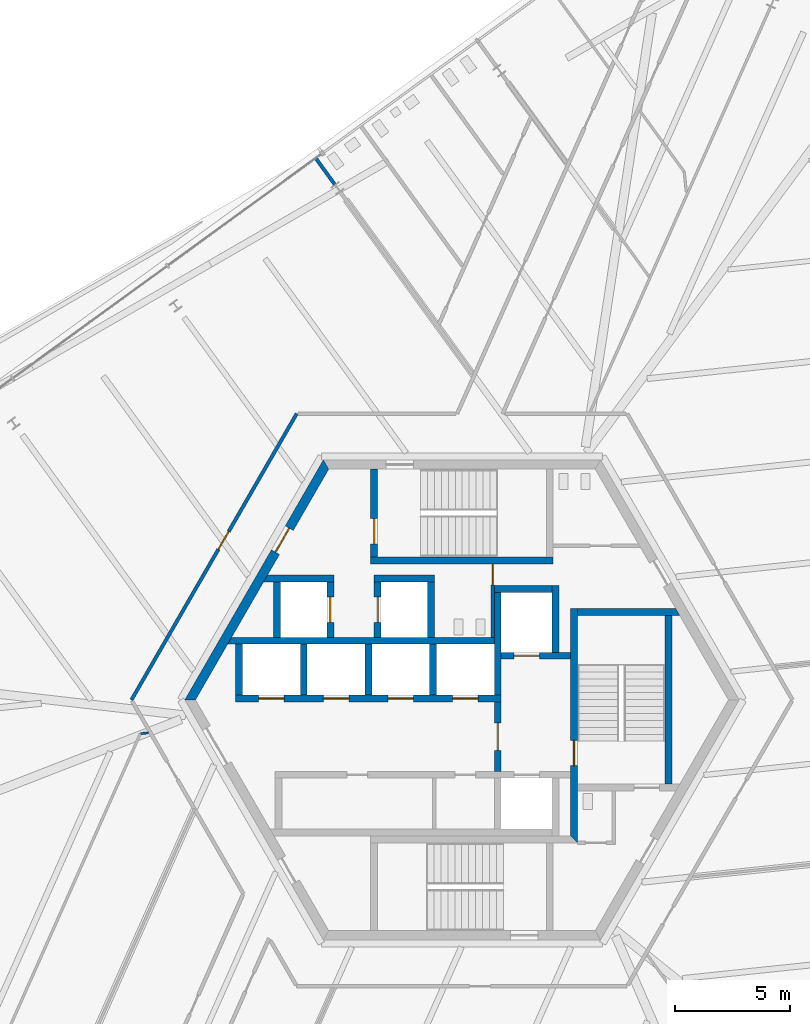
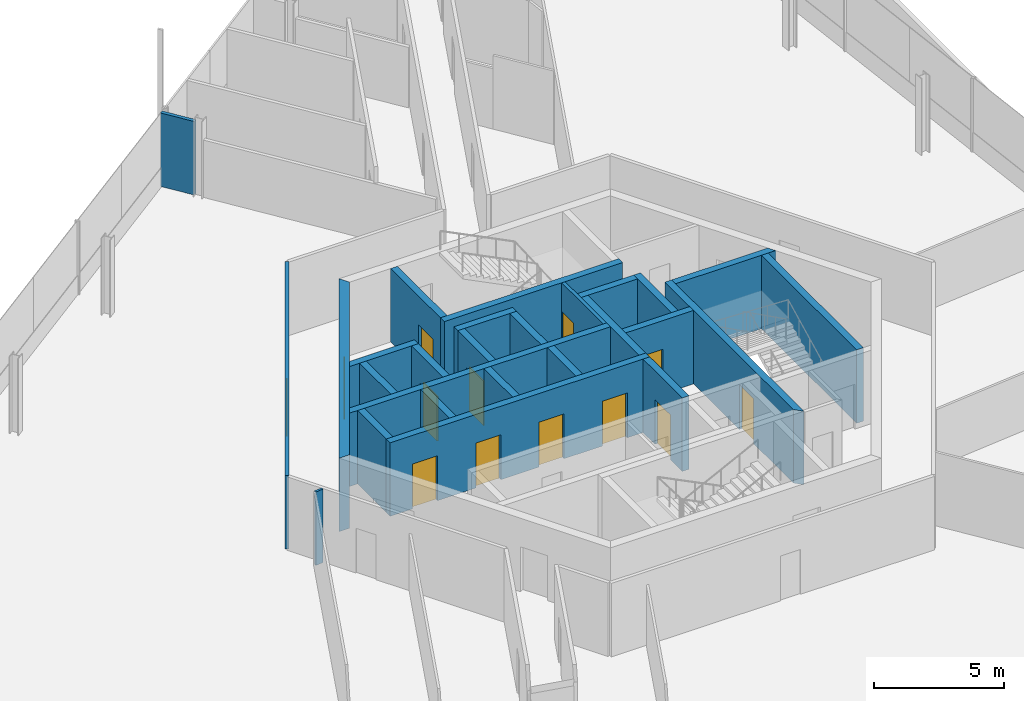
# One storey, part 17 of 24: 27 walls, 13 doors, 13 openings.
"""IFC4 building model written with IfcOpenShell, lengths in metres."""

from ifc_helpers import new_model, si_unit, direction, frame, frame_2d, origin, place, context, subcontext, project, spatial, polyline, rectangle, outline, extrude, source, transform, mapped, material, layer, layer_set, type_object, element, fill, save


model = new_model("IFC4")

# Units and contexts
model_context = context("Model", 3, precision=1e-05, world=origin(), true_north=direction((0.0, 1.0)))
body_context = subcontext(model_context, "Body", "Model", "MODEL_VIEW")
ifc_project = project(units=[si_unit("LENGTHUNIT", "METRE"), si_unit("AREAUNIT", "SQUARE_METRE"), si_unit("VOLUMEUNIT", "CUBIC_METRE"), si_unit("PLANEANGLEUNIT", "RADIAN"), si_unit("MASSUNIT", "GRAM", prefix="KILO")], contexts=[model_context])

# Site, building, storey
site_placement = place(None, origin())
site = spatial("IfcSite", under=ifc_project, at=site_placement, CompositionType="ELEMENT")
building_placement = place(site_placement, origin())
building = spatial("IfcBuilding", under=site, at=building_placement, Name="Triune Harvest Tower", CompositionType="ELEMENT")
storey_placement = place(building_placement, frame((0.0, 0.0, 58.5)))
storey = spatial("IfcBuildingStorey", under=building, at=storey_placement, Name="L13", CompositionType="ELEMENT", Elevation=58.5)

# Wall
ifc_material_1 = material(Name="Gypsum board on steel studs", Category="steel")
ifc_layer_1 = layer(ifc_material_1, 0.10009765625)
ifc_layer_set_1 = layer_set([ifc_layer_1], Name="Gypsum board on steel studs")
wall_type_1 = type_object("IfcWallType", Name="Partition 100 mm", PredefinedType="PARTITIONING", material=ifc_layer_set_1)
wall_1_placement = place(storey_placement, frame((-13.906494140625, -1.46142578125, 0.0), z_axis=(0.0, 0.0, 1.0), x_axis=(0.994576461005, 0.104007995922, 0.0)))
element("IfcWall", 1, at=wall_1_placement, inside=storey, type_object=wall_type_1, Name="Partition L13 027", PredefinedType="PARTITIONING", context=body_context, shape_type="SweptSolid", body=[
    extrude(rectangle(XDim=0.338134765625, YDim=0.10009765625, at=frame_2d((0.1689453125, 0.0))), origin(), (0.0, 0.0, 1.0), 3.43994140625),
])

# Wall, opening, door
ifc_material_2 = material(Name="Concrete 70 MPa", Category="concrete")
ifc_layer_2 = layer(ifc_material_2, 0.39990234375)
ifc_layer_set_2 = layer_set([ifc_layer_2], Name="Concrete 70 MPa")
wall_type_2 = type_object("IfcWallType", Name="Core wall 400", PredefinedType="SHEAR", material=ifc_layer_set_2)
shared_shape_1 = source(origin(), body_context, "Body", "SweptSolid", [
    extrude(outline(polyline([(-0.115478515625, -0.199951171875), (11.884521484375, -0.199951171875), (11.653564453125, 0.199951171875), (0.115478515625, 0.199951171875), (-0.115478515625, -0.199951171875)])), origin(), (0.0, 0.0, 1.0), 3.43994140625),
])
wall_2_placement = place(storey_placement, frame((-5.884521484375, 10.1923828125, 0.0), z_axis=(0.0, 0.0, 1.0), x_axis=(-0.499996592174, -0.866027371285, 0.0)))
wall_2 = element("IfcWall", 2, at=wall_2_placement, inside=storey, type_object=wall_type_2, Name="Hexagon 2 wall", PredefinedType="SHEAR", context=body_context, shape_type="MappedRepresentation", body=[
    mapped(shared_shape_1, transform((0.0, 0.0, 0.0), scale=1.0)),
])
opening_1_placement = place(wall_2_placement, frame((3.1845703125, 0.0, 0.0)))
opening_1 = element("IfcOpeningElement", 3, at=opening_1_placement, cuts=wall_2, Name="Opening CD-SVP", PredefinedType="OPENING", context=body_context, shape_type="SweptSolid", body=[
    extrude(rectangle(XDim=1.199951171875, YDim=2.10009765625, at=frame_2d((0.60009765625, 1.050048828125))), frame((0.0, 0.2099609375, 0.0), z_axis=(0.0, -1.0, 0.0), x_axis=(1.0, 0.0, 0.0)), (0.0, 0.0, 1.0), 0.419921875),
])
ifc_material_3 = material(Name="Steel S235", Category="steel")
door_type_1 = type_object("IfcDoorType", Name="Service door 1200 FD120", OperationType="SINGLE_SWING_LEFT", PredefinedType="DOOR", material=ifc_material_3)
door_1_placement = place(opening_1_placement, frame((1.199951171875, 0.0, 0.0), z_axis=(0.0, 0.0, 1.0), x_axis=(-1.0, 0.0, 0.0)))
door_1 = element("IfcDoor", 4, at=door_1_placement, inside=storey, type_object=door_type_1, Name="Door CD-SVP", OperationType="SINGLE_SWING_RIGHT", OverallHeight=2.10009765625, OverallWidth=1.199951171875, PredefinedType="DOOR", context=body_context, shape_type="SweptSolid", body=[
    extrude(rectangle(XDim=1.199951171875, YDim=2.10009765625, at=frame_2d((0.60009765625, 1.050048828125))), frame((0.0, 0.02490234375, 0.0), z_axis=(0.0, -1.0, 0.0), x_axis=(1.0, 0.0, 0.0)), (0.0, 0.0, 1.0), 0.050048828125),
])
fill(opening_1, door_1)

# Wall, openings, doors
ifc_material_4 = material(Name="Concrete 70 MPa", Category="concrete")
ifc_layer_3 = layer(ifc_material_4, 0.300048828125)
ifc_layer_set_3 = layer_set([ifc_layer_3], Name="Concrete 70 MPa")
wall_type_3 = type_object("IfcWallType", Name="Core wall 300", PredefinedType="SHEAR", material=ifc_layer_set_3)
shared_shape_2 = source(origin(), body_context, "Body", "SweptSolid", [
    extrude(rectangle(XDim=11.5, YDim=0.300048828125, at=frame_2d((5.75, 0.0))), origin(), (0.0, 0.0, 1.0), 3.43994140625),
])
wall_3_placement = place(storey_placement, frame((-9.800048828125, 0.06005859375, 0.0), z_axis=(0.0, 0.0, 1.0), x_axis=(1.0, 0.0, 0.0)))
wall_3 = element("IfcWall", 5, at=wall_3_placement, inside=storey, type_object=wall_type_3, Name="North front wall", PredefinedType="SHEAR", context=body_context, shape_type="MappedRepresentation", body=[
    mapped(shared_shape_2, transform((0.0, 0.0, 0.0), scale=1.0)),
])
opening_2_placement = place(wall_3_placement, frame((1.0, 0.0, 0.0)))
opening_2 = element("IfcOpeningElement", 6, at=opening_2_placement, cuts=wall_3, Name="Opening LD-LR1-13", PredefinedType="OPENING", context=body_context, shape_type="SweptSolid", body=[
    extrude(rectangle(XDim=1.10009765625, YDim=2.10009765625, at=frame_2d((0.550048828125, 1.050048828125))), frame((0.0, 0.16015625, 0.0), z_axis=(0.0, -1.0, 0.0), x_axis=(1.0, 0.0, 0.0)), (0.0, 0.0, 1.0), 0.320068359375),
])
opening_3_placement = place(wall_3_placement, frame((3.800048828125, 0.0, 0.0)))
opening_3 = element("IfcOpeningElement", 7, at=opening_3_placement, cuts=wall_3, Name="Opening LD-LR2-13", PredefinedType="OPENING", context=body_context, shape_type="SweptSolid", body=[
    extrude(rectangle(XDim=1.10009765625, YDim=2.10009765625, at=frame_2d((0.550048828125, 1.050048828125))), frame((0.0, 0.16015625, 0.0), z_axis=(0.0, -1.0, 0.0), x_axis=(1.0, 0.0, 0.0)), (0.0, 0.0, 1.0), 0.320068359375),
])
opening_4_placement = place(wall_3_placement, frame((6.60009765625, 0.0, 0.0)))
opening_4 = element("IfcOpeningElement", 8, at=opening_4_placement, cuts=wall_3, Name="Opening LD-LR3-13", PredefinedType="OPENING", context=body_context, shape_type="SweptSolid", body=[
    extrude(rectangle(XDim=1.10009765625, YDim=2.10009765625, at=frame_2d((0.550048828125, 1.050048828125))), frame((0.0, 0.16015625, 0.0), z_axis=(0.0, -1.0, 0.0), x_axis=(1.0, 0.0, 0.0)), (0.0, 0.0, 1.0), 0.320068359375),
])
opening_5_placement = place(wall_3_placement, frame((9.39990234375, 0.0, 0.0)))
opening_5 = element("IfcOpeningElement", 9, at=opening_5_placement, cuts=wall_3, Name="Opening LD-LR4-13", PredefinedType="OPENING", context=body_context, shape_type="SweptSolid", body=[
    extrude(rectangle(XDim=1.10009765625, YDim=2.10009765625, at=frame_2d((0.550048828125, 1.050048828125))), frame((0.0, 0.16015625, 0.0), z_axis=(0.0, -1.0, 0.0), x_axis=(1.0, 0.0, 0.0)), (0.0, 0.0, 1.0), 0.320068359375),
])
ifc_material_5 = material(Name="Stainless steel AISI 304", Category="steel")
door_type_2 = type_object("IfcDoorType", Name="Landing door 1100 x 2100", OperationType="DOUBLE_DOOR_SLIDING", PredefinedType="DOOR", material=ifc_material_5)
door_2_placement = place(opening_2_placement, origin())
door_2 = element("IfcDoor", 10, at=door_2_placement, inside=storey, type_object=door_type_2, Name="Door LD-LR1-13", OperationType="DOUBLE_DOOR_SLIDING", OverallHeight=2.10009765625, OverallWidth=1.10009765625, PredefinedType="DOOR", context=body_context, shape_type="SweptSolid", body=[
    extrude(rectangle(XDim=1.10009765625, YDim=2.10009765625, at=frame_2d((0.550048828125, 1.050048828125))), frame((0.0, 0.02490234375, 0.0), z_axis=(0.0, -1.0, 0.0), x_axis=(1.0, 0.0, 0.0)), (0.0, 0.0, 1.0), 0.050048828125),
])
fill(opening_2, door_2)
door_3_placement = place(opening_3_placement, origin())
door_3 = element("IfcDoor", 11, at=door_3_placement, inside=storey, type_object=door_type_2, Name="Door LD-LR2-13", OperationType="DOUBLE_DOOR_SLIDING", OverallHeight=2.10009765625, OverallWidth=1.10009765625, PredefinedType="DOOR", context=body_context, shape_type="SweptSolid", body=[
    extrude(rectangle(XDim=1.10009765625, YDim=2.10009765625, at=frame_2d((0.550048828125, 1.050048828125))), frame((0.0, 0.02490234375, 0.0), z_axis=(0.0, -1.0, 0.0), x_axis=(1.0, 0.0, 0.0)), (0.0, 0.0, 1.0), 0.050048828125),
])
fill(opening_3, door_3)
door_4_placement = place(opening_4_placement, origin())
door_4 = element("IfcDoor", 12, at=door_4_placement, inside=storey, type_object=door_type_2, Name="Door LD-LR3-13", OperationType="DOUBLE_DOOR_SLIDING", OverallHeight=2.10009765625, OverallWidth=1.10009765625, PredefinedType="DOOR", context=body_context, shape_type="SweptSolid", body=[
    extrude(rectangle(XDim=1.10009765625, YDim=2.10009765625, at=frame_2d((0.550048828125, 1.050048828125))), frame((0.0, 0.02490234375, 0.0), z_axis=(0.0, -1.0, 0.0), x_axis=(1.0, 0.0, 0.0)), (0.0, 0.0, 1.0), 0.050048828125),
])
fill(opening_4, door_4)
door_5_placement = place(opening_5_placement, origin())
door_5 = element("IfcDoor", 13, at=door_5_placement, inside=storey, type_object=door_type_2, Name="Door LD-LR4-13", OperationType="DOUBLE_DOOR_SLIDING", OverallHeight=2.10009765625, OverallWidth=1.10009765625, PredefinedType="DOOR", context=body_context, shape_type="SweptSolid", body=[
    extrude(rectangle(XDim=1.10009765625, YDim=2.10009765625, at=frame_2d((0.550048828125, 1.050048828125))), frame((0.0, 0.02490234375, 0.0), z_axis=(0.0, -1.0, 0.0), x_axis=(1.0, 0.0, 0.0)), (0.0, 0.0, 1.0), 0.050048828125),
])
fill(opening_5, door_5)

# Walls
shared_shape_3 = source(origin(), body_context, "Body", "SweptSolid", [
    extrude(outline(polyline([(11.199951171875, -0.14990234375), (-0.34912109375, -0.14990234375), (-0.17578125, 0.14990234375), (11.199951171875, 0.14990234375), (11.199951171875, -0.14990234375)])), origin(), (0.0, 0.0, 1.0), 3.43994140625),
])
wall_4_placement = place(storey_placement, frame((-9.800048828125, 2.56005859375, 0.0), z_axis=(0.0, 0.0, 1.0), x_axis=(1.0, 0.0, 0.0)))
element("IfcWall", 14, at=wall_4_placement, inside=storey, type_object=wall_type_3, Name="North back wall", PredefinedType="SHEAR", context=body_context, shape_type="MappedRepresentation", body=[
    mapped(shared_shape_3, transform((0.0, 0.0, 0.0), scale=1.0)),
])
shared_shape_4 = source(origin(), body_context, "Body", "SweptSolid", [
    extrude(rectangle(XDim=2.5, YDim=0.300048828125, at=frame_2d((1.25, 0.0))), origin(), (0.0, 0.0, 1.0), 3.43994140625),
])
wall_5_placement = place(storey_placement, frame((1.39990234375, 4.81005859375, 0.0), z_axis=(0.0, 0.0, 1.0), x_axis=(1.0, 0.0, 0.0)))
element("IfcWall", 15, at=wall_5_placement, inside=storey, type_object=wall_type_3, Name="Ff1 back wall", PredefinedType="SHEAR", context=body_context, shape_type="MappedRepresentation", body=[
    mapped(shared_shape_4, transform((0.0, 0.0, 0.0), scale=1.0)),
])
shared_shape_5 = source(origin(), body_context, "Body", "SweptSolid", [
    extrude(rectangle(XDim=4.449951171875, YDim=0.300048828125, at=frame_2d((2.22509765625, 0.0))), origin(), (0.0, 0.0, 1.0), 3.43994140625),
])
wall_6_placement = place(storey_placement, frame((1.550048828125, 0.2099609375, 0.0), z_axis=(0.0, 0.0, 1.0), x_axis=(0.0, 1.0, 0.0)))
element("IfcWall", 16, at=wall_6_placement, inside=storey, type_object=wall_type_3, Name="Ff1 west wall", PredefinedType="SHEAR", context=body_context, shape_type="MappedRepresentation", body=[
    mapped(shared_shape_5, transform((0.0, 0.0, 0.0), scale=1.0)),
])

# Wall, opening, door
shared_shape_6 = source(origin(), body_context, "Body", "SweptSolid", [
    extrude(rectangle(XDim=3.0, YDim=0.300048828125, at=frame_2d((1.5, 0.0))), origin(), (0.0, 0.0, 1.0), 3.43994140625),
])
wall_7_placement = place(storey_placement, frame((1.699951171875, 1.909912109375, 0.0), z_axis=(0.0, 0.0, 1.0), x_axis=(1.0, 0.0, 0.0)))
wall_7 = element("IfcWall", 17, at=wall_7_placement, inside=storey, type_object=wall_type_3, Name="Ff1 front wall", PredefinedType="SHEAR", context=body_context, shape_type="MappedRepresentation", body=[
    mapped(shared_shape_6, transform((0.0, 0.0, 0.0), scale=1.0)),
])
opening_6_placement = place(wall_7_placement, frame((0.550048828125, 0.0, 0.0)))
opening_6 = element("IfcOpeningElement", 18, at=opening_6_placement, cuts=wall_7, Name="Opening LD-FF1-13", PredefinedType="OPENING", context=body_context, shape_type="SweptSolid", body=[
    extrude(rectangle(XDim=1.10009765625, YDim=2.10009765625, at=frame_2d((0.550048828125, 1.050048828125))), frame((0.0, 0.16015625, 0.0), z_axis=(0.0, -1.0, 0.0), x_axis=(1.0, 0.0, 0.0)), (0.0, 0.0, 1.0), 0.320068359375),
])
door_6_placement = place(opening_6_placement, origin())
door_6 = element("IfcDoor", 19, at=door_6_placement, inside=storey, type_object=door_type_2, Name="Door LD-FF1-13", OperationType="DOUBLE_DOOR_SLIDING", OverallHeight=2.10009765625, OverallWidth=1.10009765625, PredefinedType="DOOR", context=body_context, shape_type="SweptSolid", body=[
    extrude(rectangle(XDim=1.10009765625, YDim=2.10009765625, at=frame_2d((0.550048828125, 1.050048828125))), frame((0.0, 0.02490234375, 0.0), z_axis=(0.0, -1.0, 0.0), x_axis=(1.0, 0.0, 0.0)), (0.0, 0.0, 1.0), 0.050048828125),
])
fill(opening_6, door_6)

wall_8_placement = place(storey_placement, frame((1.550048828125, -3.090087890625, 0.0), z_axis=(0.0, 0.0, 1.0), x_axis=(0.0, 1.0, 0.0)))
wall_8 = element("IfcWall", 20, at=wall_8_placement, inside=storey, type_object=wall_type_3, Name="Ff lobby west wall", PredefinedType="SHEAR", context=body_context, shape_type="MappedRepresentation", body=[
    mapped(shared_shape_6, transform((0.0, 0.0, 0.0), scale=1.0)),
])
opening_7_placement = place(wall_8_placement, frame((0.89990234375, 0.0, 0.0)))
opening_7 = element("IfcOpeningElement", 21, at=opening_7_placement, cuts=wall_8, Name="Opening CD-FL", PredefinedType="OPENING", context=body_context, shape_type="SweptSolid", body=[
    extrude(rectangle(XDim=1.199951171875, YDim=2.10009765625, at=frame_2d((0.60009765625, 1.050048828125))), frame((0.0, 0.16015625, 0.0), z_axis=(0.0, -1.0, 0.0), x_axis=(1.0, 0.0, 0.0)), (0.0, 0.0, 1.0), 0.320068359375),
])
ifc_material_6 = material(Name="Steel S235", Category="steel")
door_type_3 = type_object("IfcDoorType", Name="Firefighters' lobby door 1200 FD120", OperationType="SINGLE_SWING_LEFT", PredefinedType="DOOR", material=ifc_material_6)
door_7_placement = place(opening_7_placement, frame((1.199951171875, 0.0, 0.0), z_axis=(0.0, 0.0, 1.0), x_axis=(-1.0, 0.0, 0.0)))
door_7 = element("IfcDoor", 22, at=door_7_placement, inside=storey, type_object=door_type_3, Name="Door CD-FL", OperationType="SINGLE_SWING_RIGHT", OverallHeight=2.10009765625, OverallWidth=1.199951171875, PredefinedType="DOOR", context=body_context, shape_type="SweptSolid", body=[
    extrude(rectangle(XDim=1.199951171875, YDim=2.10009765625, at=frame_2d((0.60009765625, 1.050048828125))), frame((0.0, 0.02490234375, 0.0), z_axis=(0.0, -1.0, 0.0), x_axis=(1.0, 0.0, 0.0)), (0.0, 0.0, 1.0), 0.050048828125),
])
fill(opening_7, door_7)

# Walls
shared_shape_7 = source(origin(), body_context, "Body", "SweptSolid", [
    extrude(rectangle(XDim=2.89990234375, YDim=0.300048828125, at=frame_2d((1.449951171875, 0.0))), origin(), (0.0, 0.0, 1.0), 3.43994140625),
])
wall_9_placement = place(storey_placement, frame((4.050048828125, 2.06005859375, 0.0), z_axis=(0.0, 0.0, 1.0), x_axis=(0.0, 1.0, 0.0)))
element("IfcWall", 23, at=wall_9_placement, inside=storey, type_object=wall_type_3, Name="Ff1 east wall", PredefinedType="SHEAR", context=body_context, shape_type="MappedRepresentation", body=[
    mapped(shared_shape_7, transform((0.0, 0.0, 0.0), scale=1.0)),
])
shared_shape_8 = source(origin(), body_context, "Body", "SweptSolid", [
    extrude(rectangle(XDim=2.199951171875, YDim=0.300048828125, at=frame_2d((1.10009765625, 0.0))), origin(), (0.0, 0.0, 1.0), 3.43994140625),
])
for number, where, z_axis, x_axis, name in (
    (24, (-9.64990234375, 0.2099609375, 0.0), (0.0, 0.0, 1.0), (0.0, 1.0, 0.0), "North end west wall"),
    (25, (-6.85009765625, 0.2099609375, 0.0), (0.0, 0.0, 1.0), (0.0, 1.0, 0.0), "North cross 1 wall"),
    (26, (-4.050048828125, 0.2099609375, 0.0), (0.0, 0.0, 1.0), (0.0, 1.0, 0.0), "North cross 2 wall"),
    (27, (-1.25, 0.2099609375, 0.0), (0.0, 0.0, 1.0), (0.0, 1.0, 0.0), "North cross 3 wall"),
):
    element("IfcWall", number, at=place(storey_placement, frame(where, z_axis=z_axis, x_axis=x_axis)), inside=storey, type_object=wall_type_3, Name=name, PredefinedType="SHEAR", context=body_context, shape_type="MappedRepresentation", body=[
        mapped(shared_shape_8, transform((0.0, 0.0, 0.0), scale=1.0)),
    ])

# Wall, opening, door
shared_shape_9 = source(origin(), body_context, "Body", "SweptSolid", [
    extrude(outline(polyline([(-0.14990234375, -0.14990234375), (9.989990234375, -0.14990234375), (9.989990234375, 0.14990234375), (0.14990234375, 0.14990234375), (-0.14990234375, -0.14990234375)])), origin(), (0.0, 0.0, 1.0), 3.43994140625),
])
wall_10_placement = place(storey_placement, frame((4.85009765625, -6.0400390625, 0.0), z_axis=(0.0, 0.0, 1.0), x_axis=(0.0, 1.0, 0.0)))
wall_10 = element("IfcWall", 28, at=wall_10_placement, inside=storey, type_object=wall_type_3, Name="Stair e west wall", PredefinedType="SHEAR", context=body_context, shape_type="MappedRepresentation", body=[
    mapped(shared_shape_9, transform((0.0, 0.0, 0.0), scale=1.0)),
])
opening_8_placement = place(wall_10_placement, frame((3.18994140625, 0.0, 0.0)))
opening_8 = element("IfcOpeningElement", 29, at=opening_8_placement, cuts=wall_10, Name="Opening CD-S3L", PredefinedType="OPENING", context=body_context, shape_type="SweptSolid", body=[
    extrude(rectangle(XDim=1.10009765625, YDim=2.10009765625, at=frame_2d((0.550048828125, 1.050048828125))), frame((0.0, 0.16015625, 0.0), z_axis=(0.0, -1.0, 0.0), x_axis=(1.0, 0.0, 0.0)), (0.0, 0.0, 1.0), 0.320068359375),
])
ifc_material_7 = material(Name="Steel S235", Category="steel")
door_type_4 = type_object("IfcDoorType", Name="Stair door 1100 FD120", OperationType="SINGLE_SWING_LEFT", PredefinedType="DOOR", material=ifc_material_7)
door_8_placement = place(opening_8_placement, frame((1.10009765625, 0.0, 0.0), z_axis=(0.0, 0.0, 1.0), x_axis=(-1.0, 0.0, 0.0)))
door_8 = element("IfcDoor", 30, at=door_8_placement, inside=storey, type_object=door_type_4, Name="Door CD-S3L", OperationType="SINGLE_SWING_RIGHT", OverallHeight=2.10009765625, OverallWidth=1.10009765625, PredefinedType="DOOR", context=body_context, shape_type="SweptSolid", body=[
    extrude(rectangle(XDim=1.10009765625, YDim=2.10009765625, at=frame_2d((0.550048828125, 1.050048828125))), frame((0.0, 0.02490234375, 0.0), z_axis=(0.0, -1.0, 0.0), x_axis=(1.0, 0.0, 0.0)), (0.0, 0.0, 1.0), 0.050048828125),
])
fill(opening_8, door_8)

# Walls
shared_shape_10 = source(origin(), body_context, "Body", "SweptSolid", [
    extrude(outline(polyline([(0.0, -0.14990234375), (0.0, 0.14990234375), (4.260009765625, 0.14990234375), (4.43310546875, -0.14990234375), (0.0, -0.14990234375)])), origin(), (0.0, 0.0, 1.0), 3.43994140625),
])
wall_11_placement = place(storey_placement, frame((5.0, 3.800048828125, 0.0), z_axis=(0.0, 0.0, 1.0), x_axis=(1.0, 0.0, 0.0)))
element("IfcWall", 31, at=wall_11_placement, inside=storey, type_object=wall_type_3, Name="Stair e north wall", PredefinedType="SHEAR", context=body_context, shape_type="MappedRepresentation", body=[
    mapped(shared_shape_10, transform((0.0, 0.0, 0.0), scale=1.0)),
])
shared_shape_11 = source(origin(), body_context, "Body", "SweptSolid", [
    extrude(rectangle(XDim=7.2998046875, YDim=0.300048828125, at=frame_2d((3.64990234375, 0.0))), origin(), (0.0, 0.0, 1.0), 3.43994140625),
])
wall_12_placement = place(storey_placement, frame((8.949951171875, -3.64990234375, 0.0), z_axis=(0.0, 0.0, 1.0), x_axis=(0.0, 1.0, 0.0)))
element("IfcWall", 32, at=wall_12_placement, inside=storey, type_object=wall_type_3, Name="Stair e east wall", PredefinedType="SHEAR", context=body_context, shape_type="MappedRepresentation", body=[
    mapped(shared_shape_11, transform((0.0, 0.0, 0.0), scale=1.0)),
])
shared_shape_12 = source(origin(), body_context, "Body", "SweptSolid", [
    extrude(rectangle(XDim=7.89990234375, YDim=0.300048828125, at=frame_2d((3.949951171875, 0.0))), origin(), (0.0, 0.0, 1.0), 3.43994140625),
])
wall_13_placement = place(storey_placement, frame((-3.949951171875, 6.0400390625, 0.0), z_axis=(0.0, 0.0, 1.0), x_axis=(1.0, 0.0, 0.0)))
element("IfcWall", 33, at=wall_13_placement, inside=storey, type_object=wall_type_3, Name="Stair n south wall", PredefinedType="SHEAR", context=body_context, shape_type="MappedRepresentation", body=[
    mapped(shared_shape_12, transform((0.0, 0.0, 0.0), scale=1.0)),
])

# Wall, opening, door
shared_shape_13 = source(origin(), body_context, "Body", "SweptSolid", [
    extrude(outline(polyline([(0.0, -0.14990234375), (0.0, 0.14990234375), (3.80419921875, 0.14990234375), (3.80419921875, -0.14990234375), (0.0, -0.14990234375)])), origin(), (0.0, 0.0, 1.0), 3.43994140625),
])
wall_14_placement = place(storey_placement, frame((-3.800048828125, 6.18994140625, 0.0), z_axis=(0.0, 0.0, 1.0), x_axis=(0.0, 1.0, 0.0)))
wall_14 = element("IfcWall", 34, at=wall_14_placement, inside=storey, type_object=wall_type_3, Name="Stair n west wall", PredefinedType="SHEAR", context=body_context, shape_type="MappedRepresentation", body=[
    mapped(shared_shape_13, transform((0.0, 0.0, 0.0), scale=1.0)),
])
opening_9_placement = place(wall_14_placement, frame((0.56005859375, 0.0, 0.0)))
opening_9 = element("IfcOpeningElement", 35, at=opening_9_placement, cuts=wall_14, Name="Opening CD-S1L", PredefinedType="OPENING", context=body_context, shape_type="SweptSolid", body=[
    extrude(rectangle(XDim=1.10009765625, YDim=2.10009765625, at=frame_2d((0.550048828125, 1.050048828125))), frame((0.0, 0.16015625, 0.0), z_axis=(0.0, -1.0, 0.0), x_axis=(1.0, 0.0, 0.0)), (0.0, 0.0, 1.0), 0.320068359375),
])
door_9_placement = place(opening_9_placement, frame((1.10009765625, 0.0, 0.0), z_axis=(0.0, 0.0, 1.0), x_axis=(-1.0, 0.0, 0.0)))
door_9 = element("IfcDoor", 36, at=door_9_placement, inside=storey, type_object=door_type_4, Name="Door CD-S1L", OperationType="SINGLE_SWING_RIGHT", OverallHeight=2.10009765625, OverallWidth=1.10009765625, PredefinedType="DOOR", context=body_context, shape_type="SweptSolid", body=[
    extrude(rectangle(XDim=1.10009765625, YDim=2.10009765625, at=frame_2d((0.550048828125, 1.050048828125))), frame((0.0, 0.02490234375, 0.0), z_axis=(0.0, -1.0, 0.0), x_axis=(1.0, 0.0, 0.0)), (0.0, 0.0, 1.0), 0.050048828125),
])
fill(opening_9, door_9)

# Walls
shared_shape_14 = source(origin(), body_context, "Body", "SweptSolid", [
    extrude(outline(polyline([(2.60009765625, -0.14990234375), (-0.440185546875, -0.14990234375), (-0.26708984375, 0.14990234375), (2.60009765625, 0.14990234375), (2.60009765625, -0.14990234375)])), origin(), (0.0, 0.0, 1.0), 3.43994140625),
])
wall_15_placement = place(storey_placement, frame((-8.14990234375, 5.260009765625, 0.0), z_axis=(0.0, 0.0, 1.0), x_axis=(1.0, 0.0, 0.0)))
element("IfcWall", 37, at=wall_15_placement, inside=storey, type_object=wall_type_3, Name="Sv1 north wall", PredefinedType="SHEAR", context=body_context, shape_type="MappedRepresentation", body=[
    mapped(shared_shape_14, transform((0.0, 0.0, 0.0), scale=1.0)),
])
shared_shape_15 = source(origin(), body_context, "Body", "SweptSolid", [
    extrude(rectangle(XDim=2.400146484375, YDim=0.300048828125, at=frame_2d((1.2001953125, 0.0))), origin(), (0.0, 0.0, 1.0), 3.43994140625),
])
wall_16_placement = place(storey_placement, frame((-8.0, 2.7099609375, 0.0), z_axis=(0.0, 0.0, 1.0), x_axis=(0.0, 1.0, 0.0)))
element("IfcWall", 38, at=wall_16_placement, inside=storey, type_object=wall_type_3, Name="Sv1 west wall", PredefinedType="SHEAR", context=body_context, shape_type="MappedRepresentation", body=[
    mapped(shared_shape_15, transform((0.0, 0.0, 0.0), scale=1.0)),
])

# Wall, opening, door
wall_17_placement = place(storey_placement, frame((-5.699951171875, 2.7099609375, 0.0), z_axis=(0.0, 0.0, 1.0), x_axis=(0.0, 1.0, 0.0)))
wall_17 = element("IfcWall", 39, at=wall_17_placement, inside=storey, type_object=wall_type_3, Name="Sv1 east wall", PredefinedType="SHEAR", context=body_context, shape_type="MappedRepresentation", body=[
    mapped(shared_shape_15, transform((0.0, 0.0, 0.0), scale=1.0)),
])
opening_10_placement = place(wall_17_placement, frame((0.64990234375, 0.0, 0.0)))
opening_10 = element("IfcOpeningElement", 40, at=opening_10_placement, cuts=wall_17, Name="Opening LD-SV1-13", PredefinedType="OPENING", context=body_context, shape_type="SweptSolid", body=[
    extrude(rectangle(XDim=1.10009765625, YDim=2.10009765625, at=frame_2d((0.550048828125, 1.050048828125))), frame((0.0, 0.16015625, 0.0), z_axis=(0.0, -1.0, 0.0), x_axis=(1.0, 0.0, 0.0)), (0.0, 0.0, 1.0), 0.320068359375),
])
door_10_placement = place(opening_10_placement, origin())
door_10 = element("IfcDoor", 41, at=door_10_placement, inside=storey, type_object=door_type_2, Name="Door LD-SV1-13", OperationType="DOUBLE_DOOR_SLIDING", OverallHeight=2.10009765625, OverallWidth=1.10009765625, PredefinedType="DOOR", context=body_context, shape_type="SweptSolid", body=[
    extrude(rectangle(XDim=1.10009765625, YDim=2.10009765625, at=frame_2d((0.550048828125, 1.050048828125))), frame((0.0, 0.02490234375, 0.0), z_axis=(0.0, -1.0, 0.0), x_axis=(1.0, 0.0, 0.0)), (0.0, 0.0, 1.0), 0.050048828125),
])
fill(opening_10, door_10)

wall_18_placement = place(storey_placement, frame((-3.64990234375, 2.7099609375, 0.0), z_axis=(0.0, 0.0, 1.0), x_axis=(0.0, 1.0, 0.0)))
wall_18 = element("IfcWall", 42, at=wall_18_placement, inside=storey, type_object=wall_type_3, Name="Sv2 west wall", PredefinedType="SHEAR", context=body_context, shape_type="MappedRepresentation", body=[
    mapped(shared_shape_15, transform((0.0, 0.0, 0.0), scale=1.0)),
])
opening_11_placement = place(wall_18_placement, frame((0.64990234375, 0.0, 0.0)))
opening_11 = element("IfcOpeningElement", 43, at=opening_11_placement, cuts=wall_18, Name="Opening LD-SV2-13", PredefinedType="OPENING", context=body_context, shape_type="SweptSolid", body=[
    extrude(rectangle(XDim=1.10009765625, YDim=2.10009765625, at=frame_2d((0.550048828125, 1.050048828125))), frame((0.0, 0.16015625, 0.0), z_axis=(0.0, -1.0, 0.0), x_axis=(1.0, 0.0, 0.0)), (0.0, 0.0, 1.0), 0.320068359375),
])
door_11_placement = place(opening_11_placement, origin())
door_11 = element("IfcDoor", 44, at=door_11_placement, inside=storey, type_object=door_type_2, Name="Door LD-SV2-13", OperationType="DOUBLE_DOOR_SLIDING", OverallHeight=2.10009765625, OverallWidth=1.10009765625, PredefinedType="DOOR", context=body_context, shape_type="SweptSolid", body=[
    extrude(rectangle(XDim=1.10009765625, YDim=2.10009765625, at=frame_2d((0.550048828125, 1.050048828125))), frame((0.0, 0.02490234375, 0.0), z_axis=(0.0, -1.0, 0.0), x_axis=(1.0, 0.0, 0.0)), (0.0, 0.0, 1.0), 0.050048828125),
])
fill(opening_11, door_11)

# Walls
wall_19_placement = place(storey_placement, frame((-1.35009765625, 2.7099609375, 0.0), z_axis=(0.0, 0.0, 1.0), x_axis=(0.0, 1.0, 0.0)))
element("IfcWall", 45, at=wall_19_placement, inside=storey, type_object=wall_type_3, Name="Sv2 east wall", PredefinedType="SHEAR", context=body_context, shape_type="MappedRepresentation", body=[
    mapped(shared_shape_15, transform((0.0, 0.0, 0.0), scale=1.0)),
])
shared_shape_16 = source(origin(), body_context, "Body", "SweptSolid", [
    extrude(rectangle(XDim=2.60009765625, YDim=0.300048828125, at=frame_2d((1.300048828125, 0.0))), origin(), (0.0, 0.0, 1.0), 3.43994140625),
])
wall_20_placement = place(storey_placement, frame((-3.800048828125, 5.260009765625, 0.0), z_axis=(0.0, 0.0, 1.0), x_axis=(1.0, 0.0, 0.0)))
element("IfcWall", 46, at=wall_20_placement, inside=storey, type_object=wall_type_3, Name="Sv2 north wall", PredefinedType="SHEAR", context=body_context, shape_type="MappedRepresentation", body=[
    mapped(shared_shape_16, transform((0.0, 0.0, 0.0), scale=1.0)),
])

# Wall, opening, door
ifc_material_8 = material(Name="Concrete masonry unit", Category="masonry")
ifc_layer_4 = layer(ifc_material_8, 0.14990234375)
ifc_layer_set_4 = layer_set([ifc_layer_4], Name="Concrete masonry unit")
wall_type_4 = type_object("IfcWallType", Name="Block partition 150 unrated", PredefinedType="PARTITIONING", material=ifc_layer_set_4)
shared_shape_17 = source(origin(), body_context, "Body", "SweptSolid", [
    extrude(rectangle(XDim=3.179931640625, YDim=0.14990234375, at=frame_2d((1.58984375, 0.0))), origin(), (0.0, 0.0, 1.0), 3.43994140625),
])
wall_21_placement = place(storey_placement, frame((1.324951171875, 2.7099609375, 0.0), z_axis=(0.0, 0.0, 1.0), x_axis=(0.0, 1.0, 0.0)))
wall_21 = element("IfcWall", 47, at=wall_21_placement, inside=storey, type_object=wall_type_4, Name="Wc men east wall", PredefinedType="PARTITIONING", context=body_context, shape_type="MappedRepresentation", body=[
    mapped(shared_shape_17, transform((0.0, 0.0, 0.0), scale=1.0)),
])
opening_12_placement = place(wall_21_placement, frame((2.264892578125, 0.0, 0.0)))
opening_12 = element("IfcOpeningElement", 48, at=opening_12_placement, cuts=wall_21, Name="Opening CD-WM", PredefinedType="OPENING", context=body_context, shape_type="SweptSolid", body=[
    extrude(rectangle(XDim=0.89990234375, YDim=2.10009765625, at=frame_2d((0.449951171875, 1.050048828125))), frame((0.0, 0.0849609375, 0.0), z_axis=(0.0, -1.0, 0.0), x_axis=(1.0, 0.0, 0.0)), (0.0, 0.0, 1.0), 0.169921875),
])
ifc_material_9 = material(Name="Timber C24", Category="wood")
door_type_5 = type_object("IfcDoorType", Name="WC door 900", OperationType="SINGLE_SWING_LEFT", PredefinedType="DOOR", material=ifc_material_9)
door_12_placement = place(opening_12_placement, origin())
door_12 = element("IfcDoor", 49, at=door_12_placement, inside=storey, type_object=door_type_5, Name="Door CD-WM", OperationType="SINGLE_SWING_LEFT", OverallHeight=2.10009765625, OverallWidth=0.89990234375, PredefinedType="DOOR", context=body_context, shape_type="SweptSolid", body=[
    extrude(rectangle(XDim=0.89990234375, YDim=2.10009765625, at=frame_2d((0.449951171875, 1.050048828125))), frame((0.0, 0.02490234375, 0.0), z_axis=(0.0, -1.0, 0.0), x_axis=(1.0, 0.0, 0.0)), (0.0, 0.0, 1.0), 0.050048828125),
])
fill(opening_12, door_12)

ifc_material_10 = material(Name="Gypsum board on steel studs", Category="steel")
ifc_layer_5 = layer(ifc_material_10, 0.14990234375)
ifc_layer_set_5 = layer_set([ifc_layer_5], Name="Gypsum board on steel studs")
wall_type_5 = type_object("IfcWallType", Name="Fire Partition 150 mm", PredefinedType="PARTITIONING", material=ifc_layer_set_5)
shared_shape_18 = source(origin(), body_context, "Body", "SweptSolid", [
    extrude(rectangle(XDim=14.309326171875, YDim=0.14990234375, at=frame_2d((7.15478515625, 0.0))), origin(), (0.0, 0.0, 1.0), 3.43994140625),
])
wall_22_placement = place(storey_placement, frame((-14.309326171875, 0.0, 0.0), z_axis=(0.0, 0.0, 1.0), x_axis=(0.499990757089, 0.866030740116, 0.0)))
wall_22 = element("IfcWall", 50, at=wall_22_placement, inside=storey, type_object=wall_type_5, Name="Partition L13 032", PredefinedType="PARTITIONING", context=body_context, shape_type="MappedRepresentation", body=[
    mapped(shared_shape_18, transform((0.0, 0.0, 0.0), scale=1.0)),
])
opening_13_placement = place(wall_22_placement, frame((7.522216796875, 0.0, 0.0)))
opening_13 = element("IfcOpeningElement", 51, at=opening_13_placement, cuts=wall_22, Name="Opening L13-014", PredefinedType="OPENING", context=body_context, shape_type="SweptSolid", body=[
    extrude(rectangle(XDim=0.89990234375, YDim=2.10009765625, at=frame_2d((0.449951171875, 1.050048828125))), frame((0.0, 0.0849609375, 0.0), z_axis=(0.0, -1.0, 0.0), x_axis=(1.0, 0.0, 0.0)), (0.0, 0.0, 1.0), 0.169921875),
])
ifc_material_11 = material(Name="Timber and steel door set", Category="steel")
door_type_6 = type_object("IfcDoorType", Name="Single leaf door FD30 right hand 900 x 2100", OperationType="SINGLE_SWING_RIGHT", PredefinedType="DOOR", material=ifc_material_11)
door_13_placement = place(opening_13_placement, origin())
door_13 = element("IfcDoor", 52, at=door_13_placement, inside=storey, type_object=door_type_6, Name="Door L13-014 Open Office 13.14", OperationType="SINGLE_SWING_RIGHT", OverallHeight=2.10009765625, OverallWidth=0.89990234375, PredefinedType="DOOR", context=body_context, shape_type="SweptSolid", body=[
    extrude(rectangle(XDim=0.89990234375, YDim=2.10009765625, at=frame_2d((0.449951171875, 1.050048828125))), frame((0.0, 0.02490234375, 0.0), z_axis=(0.0, -1.0, 0.0), x_axis=(1.0, 0.0, 0.0)), (0.0, 0.0, 1.0), 0.050048828125),
])
fill(opening_13, door_13)

# Wall
shared_shape_19 = source(origin(), body_context, "Body", "SweptSolid", [
    extrude(rectangle(XDim=1.41845703125, YDim=0.14990234375, at=frame_2d((0.709228515625, 0.0))), origin(), (0.0, 0.0, 1.0), 3.43994140625),
])
wall_23_placement = place(storey_placement, frame((-6.33349609375, 23.454345703125, 0.0), z_axis=(0.0, 0.0, 1.0), x_axis=(0.587813429905, -0.808996521392, 0.0)))
element("IfcWall", 53, at=wall_23_placement, inside=storey, type_object=wall_type_5, Name="Partition L13 008", PredefinedType="PARTITIONING", context=body_context, shape_type="MappedRepresentation", body=[
    mapped(shared_shape_19, transform((0.0, 0.0, 0.0), scale=1.0)),
])

save(model, "model.ifc")
